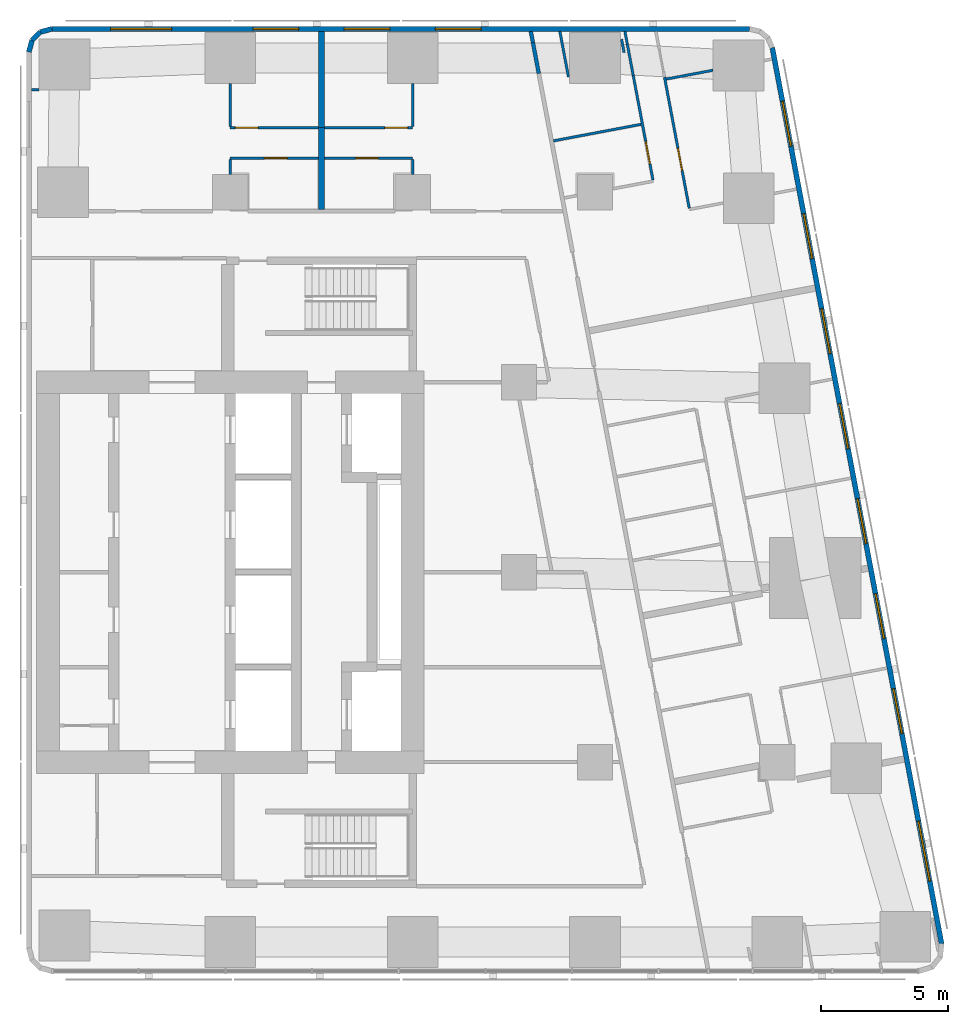
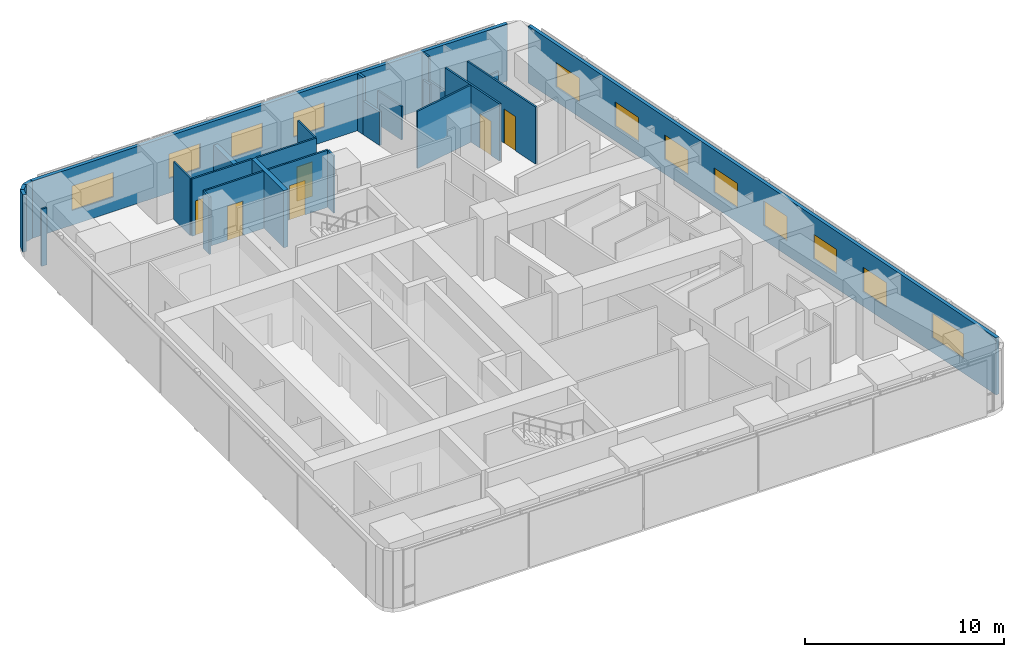
# One storey, part 8 of 11: 26 walls, 12 windows, 6 doors, 18 openings.
"""IFC4 building model written with IfcOpenShell, lengths in metres."""

from ifc_helpers import new_model, si_unit, direction, frame, frame_2d, origin, place, context, subcontext, project, spatial, rectangle, extrude, material, layer, layer_set, type_object, element, fill, save


model = new_model("IFC4")

# Units and contexts
model_context = context("Model", 3, precision=1e-05, world=origin(), true_north=direction((0.0, 1.0)))
body_context = subcontext(model_context, "Body", "Model", "MODEL_VIEW")
ifc_project = project(units=[si_unit("LENGTHUNIT", "METRE"), si_unit("AREAUNIT", "SQUARE_METRE"), si_unit("VOLUMEUNIT", "CUBIC_METRE"), si_unit("PLANEANGLEUNIT", "RADIAN"), si_unit("MASSUNIT", "GRAM", prefix="KILO")], contexts=[model_context])

# Site, building, storey
site_placement = place(None, origin())
site = spatial("IfcSite", under=ifc_project, at=site_placement, CompositionType="ELEMENT")
building_placement = place(site_placement, origin())
building = spatial("IfcBuilding", under=site, at=building_placement, Name="Sheger Commons Tower", CompositionType="ELEMENT")
storey_placement = place(building_placement, frame((0.0, 0.0, 255.35009765625)))
storey = spatial("IfcBuildingStorey", under=building, at=storey_placement, Name="L65", CompositionType="ELEMENT", Elevation=255.35009765625)

# Walls
ifc_material_1 = material(Name="Hollow concrete block masonry, skimmed both sides", Category="masonry")
ifc_layer_1 = layer(ifc_material_1, 0.14990234375)
ifc_layer_set_1 = layer_set([ifc_layer_1], Name="CORRIDOR WALL 150")
wall_type_1 = type_object("IfcWallType", Name="CORRIDOR WALL 150", PredefinedType="SOLIDWALL", material=ifc_layer_set_1)
wall_1_placement = place(storey_placement, frame((33.467041015625, 43.85009765625, 0.0), z_axis=(0.0, 0.0, 1.0), x_axis=(0.184886516626, -0.982759877066, 0.0)))
element("IfcWall", 1, at=wall_1_placement, inside=storey, type_object=wall_type_1, Name="Corridor wall L65", PredefinedType="SOLIDWALL", context=body_context, shape_type="SweptSolid", body=[
    extrude(rectangle(XDim=0.443603515625, YDim=0.14990234375, at=frame_2d((0.2216796875, 0.0))), origin(), (0.0, 0.0, 1.0), 3.5),
])
wall_2_placement = place(storey_placement, frame((33.549072265625, 43.4140625, 0.0), z_axis=(0.0, 0.0, 1.0), x_axis=(0.185585816539, -0.982628060204, 0.0)))
element("IfcWall", 2, at=wall_2_placement, inside=storey, type_object=wall_type_1, Name="Corridor wall L65", PredefinedType="SOLIDWALL", context=body_context, shape_type="SweptSolid", body=[
    extrude(rectangle(XDim=1.249755859375, YDim=0.14990234375, at=frame_2d((0.625, 0.0))), origin(), (0.0, 0.0, 1.0), 2.0498046875),
])
ifc_material_2 = material(Name="Dense concrete block masonry, plastered both sides (separating wall between flats)", Category="masonry")
ifc_layer_2 = layer(ifc_material_2, 0.25)
ifc_layer_set_2 = layer_set([ifc_layer_2], Name="DEMISING WALL 250")
wall_type_2 = type_object("IfcWallType", Name="DEMISING WALL 250", PredefinedType="SOLIDWALL", material=ifc_layer_set_2)
wall_3_placement = place(storey_placement, frame((25.199951171875, 40.050048828125, 0.0), z_axis=(0.0, 0.0, 1.0), x_axis=(0.0, 1.0, 0.0)))
element("IfcWall", 3, at=wall_3_placement, inside=storey, type_object=wall_type_2, Name="Demising wall L65", PredefinedType="SOLIDWALL", context=body_context, shape_type="SweptSolid", body=[
    extrude(rectangle(XDim=3.800048828125, YDim=0.25, at=frame_2d((1.89990234375, 0.0))), origin(), (0.0, 0.0, 1.0), 2.0498046875),
])
wall_4_placement = place(storey_placement, frame((25.199951171875, 36.824951171875, 0.0), z_axis=(0.0, 0.0, 1.0), x_axis=(0.0, 1.0, 0.0)))
element("IfcWall", 4, at=wall_4_placement, inside=storey, type_object=wall_type_2, Name="Demising wall L65", PredefinedType="SOLIDWALL", context=body_context, shape_type="SweptSolid", body=[
    extrude(rectangle(XDim=3.22509765625, YDim=0.25, at=frame_2d((1.612548828125, 0.0))), origin(), (0.0, 0.0, 1.0), 3.5),
])

# Wall, openings, windows
ifc_material_3 = material(Name="Rendered concrete block masonry, dark grey", Category="masonry")
ifc_layer_3 = layer(ifc_material_3, 0.199951171875)
ifc_layer_set_3 = layer_set([ifc_layer_3], Name="FACADE WALL 200")
wall_type_3 = type_object("IfcWallType", Name="FACADE WALL 200", PredefinedType="SOLIDWALL", material=ifc_layer_set_3)
wall_5_placement = place(storey_placement, frame((49.68408203125, 7.83203125, 0.0), z_axis=(0.0, 0.0, 1.0), x_axis=(-0.185616669694, 0.982622232565, 0.0)))
wall_5 = element("IfcWall", 5, at=wall_5_placement, inside=storey, type_object=wall_type_3, Name="Facade wall L65", PredefinedType="SOLIDWALL", context=body_context, shape_type="SweptSolid", body=[
    extrude(rectangle(XDim=35.99951171875, YDim=0.199951171875, at=frame_2d((17.999755859375, 0.0))), origin(), (0.0, 0.0, 1.0), 3.5),
])
opening_1_placement = place(wall_5_placement, frame((2.51806640625, 0.0, 0.89990234375)))
opening_1 = element("IfcOpeningElement", 6, at=opening_1_placement, cuts=wall_5, Name="Opening W1", PredefinedType="OPENING", context=body_context, shape_type="SweptSolid", body=[
    extrude(rectangle(XDim=2.39990234375, YDim=1.5, at=frame_2d((1.199951171875, 0.75))), frame((0.0, 0.10986328125, 0.0), z_axis=(0.0, -1.0, 0.0), x_axis=(1.0, 0.0, 0.0)), (0.0, 0.0, 1.0), 0.219970703125),
])
opening_2_placement = place(wall_5_placement, frame((8.444091796875, 0.0, 0.89990234375)))
opening_2 = element("IfcOpeningElement", 7, at=opening_2_placement, cuts=wall_5, Name="Opening W2", PredefinedType="OPENING", context=body_context, shape_type="SweptSolid", body=[
    extrude(rectangle(XDim=1.800048828125, YDim=1.5, at=frame_2d((0.89990234375, 0.75))), frame((0.0, 0.10986328125, 0.0), z_axis=(0.0, -1.0, 0.0), x_axis=(1.0, 0.0, 0.0)), (0.0, 0.0, 1.0), 0.219970703125),
])
opening_3_placement = place(wall_5_placement, frame((12.260986328125, 0.0, 0.89990234375)))
opening_3 = element("IfcOpeningElement", 8, at=opening_3_placement, cuts=wall_5, Name="Opening W2", PredefinedType="OPENING", context=body_context, shape_type="SweptSolid", body=[
    extrude(rectangle(XDim=1.800048828125, YDim=1.5, at=frame_2d((0.89990234375, 0.75))), frame((0.0, 0.10986328125, 0.0), z_axis=(0.0, -1.0, 0.0), x_axis=(1.0, 0.0, 0.0)), (0.0, 0.0, 1.0), 0.219970703125),
])
opening_4_placement = place(wall_5_placement, frame((16.077880859375, 0.0, 0.89990234375)))
opening_4 = element("IfcOpeningElement", 9, at=opening_4_placement, cuts=wall_5, Name="Opening W2", PredefinedType="OPENING", context=body_context, shape_type="SweptSolid", body=[
    extrude(rectangle(XDim=1.800048828125, YDim=1.5, at=frame_2d((0.89990234375, 0.75))), frame((0.0, 0.10986328125, 0.0), z_axis=(0.0, -1.0, 0.0), x_axis=(1.0, 0.0, 0.0)), (0.0, 0.0, 1.0), 0.219970703125),
])
opening_5_placement = place(wall_5_placement, frame((19.89404296875, 0.0, 0.89990234375)))
opening_5 = element("IfcOpeningElement", 10, at=opening_5_placement, cuts=wall_5, Name="Opening W2", PredefinedType="OPENING", context=body_context, shape_type="SweptSolid", body=[
    extrude(rectangle(XDim=1.800048828125, YDim=1.5, at=frame_2d((0.89990234375, 0.75))), frame((0.0, 0.10986328125, 0.0), z_axis=(0.0, -1.0, 0.0), x_axis=(1.0, 0.0, 0.0)), (0.0, 0.0, 1.0), 0.219970703125),
])
opening_6_placement = place(wall_5_placement, frame((23.7099609375, 0.0, 0.89990234375)))
opening_6 = element("IfcOpeningElement", 11, at=opening_6_placement, cuts=wall_5, Name="Opening W2", PredefinedType="OPENING", context=body_context, shape_type="SweptSolid", body=[
    extrude(rectangle(XDim=1.800048828125, YDim=1.5, at=frame_2d((0.89990234375, 0.75))), frame((0.0, 0.10986328125, 0.0), z_axis=(0.0, -1.0, 0.0), x_axis=(1.0, 0.0, 0.0)), (0.0, 0.0, 1.0), 0.219970703125),
])
opening_7_placement = place(wall_5_placement, frame((27.52587890625, 0.0, 0.89990234375)))
opening_7 = element("IfcOpeningElement", 12, at=opening_7_placement, cuts=wall_5, Name="Opening W2", PredefinedType="OPENING", context=body_context, shape_type="SweptSolid", body=[
    extrude(rectangle(XDim=1.800048828125, YDim=1.5, at=frame_2d((0.89990234375, 0.75))), frame((0.0, 0.10986328125, 0.0), z_axis=(0.0, -1.0, 0.0), x_axis=(1.0, 0.0, 0.0)), (0.0, 0.0, 1.0), 0.219970703125),
])
opening_8_placement = place(wall_5_placement, frame((32.0458984375, 0.0, 0.89990234375)))
opening_8 = element("IfcOpeningElement", 13, at=opening_8_placement, cuts=wall_5, Name="Opening W2", PredefinedType="OPENING", context=body_context, shape_type="SweptSolid", body=[
    extrude(rectangle(XDim=1.800048828125, YDim=1.5, at=frame_2d((0.89990234375, 0.75))), frame((0.0, 0.10986328125, 0.0), z_axis=(0.0, -1.0, 0.0), x_axis=(1.0, 0.0, 0.0)), (0.0, 0.0, 1.0), 0.219970703125),
])
ifc_material_4 = material(Name="Black aluminium frame, dark tinted double glazing", Category="aluminium")
window_type_1 = type_object("IfcWindowType", Name="WINDOW W1 2400x1500", PartitioningType="SINGLE_PANEL", PredefinedType="WINDOW", material=ifc_material_4)
window_1_placement = place(opening_1_placement, origin())
window_1 = element("IfcWindow", 14, at=window_1_placement, inside=storey, type_object=window_type_1, Name="Window W1 2400X1500", OverallHeight=1.5, OverallWidth=2.39990234375, PartitioningType="SINGLE_PANEL", PredefinedType="WINDOW", context=body_context, shape_type="SweptSolid", body=[
    extrude(rectangle(XDim=2.39990234375, YDim=1.5, at=frame_2d((1.199951171875, 0.75))), frame((0.0, 0.030029296875, 0.0), z_axis=(0.0, -1.0, 0.0), x_axis=(1.0, 0.0, 0.0)), (0.0, 0.0, 1.0), 0.06005859375),
])
fill(opening_1, window_1)
ifc_material_5 = material(Name="Black aluminium frame, dark tinted double glazing", Category="aluminium")
window_type_2 = type_object("IfcWindowType", Name="WINDOW W2 1800x1500", PartitioningType="SINGLE_PANEL", PredefinedType="WINDOW", material=ifc_material_5)
window_2_placement = place(opening_2_placement, origin())
window_2 = element("IfcWindow", 15, at=window_2_placement, inside=storey, type_object=window_type_2, Name="Window W2 1800X1500", OverallHeight=1.5, OverallWidth=1.800048828125, PartitioningType="SINGLE_PANEL", PredefinedType="WINDOW", context=body_context, shape_type="SweptSolid", body=[
    extrude(rectangle(XDim=1.800048828125, YDim=1.5, at=frame_2d((0.89990234375, 0.75))), frame((0.0, 0.030029296875, 0.0), z_axis=(0.0, -1.0, 0.0), x_axis=(1.0, 0.0, 0.0)), (0.0, 0.0, 1.0), 0.06005859375),
])
fill(opening_2, window_2)
window_3_placement = place(opening_3_placement, origin())
window_3 = element("IfcWindow", 16, at=window_3_placement, inside=storey, type_object=window_type_2, Name="Window W2 1800X1500", OverallHeight=1.5, OverallWidth=1.800048828125, PartitioningType="SINGLE_PANEL", PredefinedType="WINDOW", context=body_context, shape_type="SweptSolid", body=[
    extrude(rectangle(XDim=1.800048828125, YDim=1.5, at=frame_2d((0.89990234375, 0.75))), frame((0.0, 0.030029296875, 0.0), z_axis=(0.0, -1.0, 0.0), x_axis=(1.0, 0.0, 0.0)), (0.0, 0.0, 1.0), 0.06005859375),
])
fill(opening_3, window_3)
window_4_placement = place(opening_4_placement, origin())
window_4 = element("IfcWindow", 17, at=window_4_placement, inside=storey, type_object=window_type_2, Name="Window W2 1800X1500", OverallHeight=1.5, OverallWidth=1.800048828125, PartitioningType="SINGLE_PANEL", PredefinedType="WINDOW", context=body_context, shape_type="SweptSolid", body=[
    extrude(rectangle(XDim=1.800048828125, YDim=1.5, at=frame_2d((0.89990234375, 0.75))), frame((0.0, 0.030029296875, 0.0), z_axis=(0.0, -1.0, 0.0), x_axis=(1.0, 0.0, 0.0)), (0.0, 0.0, 1.0), 0.06005859375),
])
fill(opening_4, window_4)
window_5_placement = place(opening_5_placement, origin())
window_5 = element("IfcWindow", 18, at=window_5_placement, inside=storey, type_object=window_type_2, Name="Window W2 1800X1500", OverallHeight=1.5, OverallWidth=1.800048828125, PartitioningType="SINGLE_PANEL", PredefinedType="WINDOW", context=body_context, shape_type="SweptSolid", body=[
    extrude(rectangle(XDim=1.800048828125, YDim=1.5, at=frame_2d((0.89990234375, 0.75))), frame((0.0, 0.030029296875, 0.0), z_axis=(0.0, -1.0, 0.0), x_axis=(1.0, 0.0, 0.0)), (0.0, 0.0, 1.0), 0.06005859375),
])
fill(opening_5, window_5)
window_6_placement = place(opening_6_placement, origin())
window_6 = element("IfcWindow", 19, at=window_6_placement, inside=storey, type_object=window_type_2, Name="Window W2 1800X1500", OverallHeight=1.5, OverallWidth=1.800048828125, PartitioningType="SINGLE_PANEL", PredefinedType="WINDOW", context=body_context, shape_type="SweptSolid", body=[
    extrude(rectangle(XDim=1.800048828125, YDim=1.5, at=frame_2d((0.89990234375, 0.75))), frame((0.0, 0.030029296875, 0.0), z_axis=(0.0, -1.0, 0.0), x_axis=(1.0, 0.0, 0.0)), (0.0, 0.0, 1.0), 0.06005859375),
])
fill(opening_6, window_6)
window_7_placement = place(opening_7_placement, origin())
window_7 = element("IfcWindow", 20, at=window_7_placement, inside=storey, type_object=window_type_2, Name="Window W2 1800X1500", OverallHeight=1.5, OverallWidth=1.800048828125, PartitioningType="SINGLE_PANEL", PredefinedType="WINDOW", context=body_context, shape_type="SweptSolid", body=[
    extrude(rectangle(XDim=1.800048828125, YDim=1.5, at=frame_2d((0.89990234375, 0.75))), frame((0.0, 0.030029296875, 0.0), z_axis=(0.0, -1.0, 0.0), x_axis=(1.0, 0.0, 0.0)), (0.0, 0.0, 1.0), 0.06005859375),
])
fill(opening_7, window_7)
window_8_placement = place(opening_8_placement, origin())
window_8 = element("IfcWindow", 21, at=window_8_placement, inside=storey, type_object=window_type_2, Name="Window W2 1800X1500", OverallHeight=1.5, OverallWidth=1.800048828125, PartitioningType="SINGLE_PANEL", PredefinedType="WINDOW", context=body_context, shape_type="SweptSolid", body=[
    extrude(rectangle(XDim=1.800048828125, YDim=1.5, at=frame_2d((0.89990234375, 0.75))), frame((0.0, 0.030029296875, 0.0), z_axis=(0.0, -1.0, 0.0), x_axis=(1.0, 0.0, 0.0)), (0.0, 0.0, 1.0), 0.06005859375),
])
fill(opening_8, window_8)

wall_6_placement = place(storey_placement, frame((42.10302734375, 43.949951171875, 0.0), z_axis=(0.0, 0.0, 1.0), x_axis=(-1.0, 0.0, 0.0)))
wall_6 = element("IfcWall", 22, at=wall_6_placement, inside=storey, type_object=wall_type_3, Name="Facade wall L65", PredefinedType="SOLIDWALL", context=body_context, shape_type="SweptSolid", body=[
    extrude(rectangle(XDim=27.5400390625, YDim=0.199951171875, at=frame_2d((13.77001953125, 0.0))), origin(), (0.0, 0.0, 1.0), 3.5),
])
opening_9_placement = place(wall_6_placement, frame((10.60302734375, 0.0, 0.89990234375)))
opening_9 = element("IfcOpeningElement", 23, at=opening_9_placement, cuts=wall_6, Name="Opening W2", PredefinedType="OPENING", context=body_context, shape_type="SweptSolid", body=[
    extrude(rectangle(XDim=1.800048828125, YDim=1.5, at=frame_2d((0.89990234375, 0.75))), frame((0.0, 0.10986328125, 0.0), z_axis=(0.0, -1.0, 0.0), x_axis=(1.0, 0.0, 0.0)), (0.0, 0.0, 1.0), 0.219970703125),
])
opening_10_placement = place(wall_6_placement, frame((14.202880859375, 0.0, 0.89990234375)))
opening_10 = element("IfcOpeningElement", 24, at=opening_10_placement, cuts=wall_6, Name="Opening W2", PredefinedType="OPENING", context=body_context, shape_type="SweptSolid", body=[
    extrude(rectangle(XDim=1.800048828125, YDim=1.5, at=frame_2d((0.89990234375, 0.75))), frame((0.0, 0.10986328125, 0.0), z_axis=(0.0, -1.0, 0.0), x_axis=(1.0, 0.0, 0.0)), (0.0, 0.0, 1.0), 0.219970703125),
])
opening_11_placement = place(wall_6_placement, frame((17.802978515625, 0.0, 0.89990234375)))
opening_11 = element("IfcOpeningElement", 25, at=opening_11_placement, cuts=wall_6, Name="Opening W2", PredefinedType="OPENING", context=body_context, shape_type="SweptSolid", body=[
    extrude(rectangle(XDim=1.800048828125, YDim=1.5, at=frame_2d((0.89990234375, 0.75))), frame((0.0, 0.10986328125, 0.0), z_axis=(0.0, -1.0, 0.0), x_axis=(1.0, 0.0, 0.0)), (0.0, 0.0, 1.0), 0.219970703125),
])
opening_12_placement = place(wall_6_placement, frame((22.822021484375, 0.0, 0.89990234375)))
opening_12 = element("IfcOpeningElement", 26, at=opening_12_placement, cuts=wall_6, Name="Opening W1", PredefinedType="OPENING", context=body_context, shape_type="SweptSolid", body=[
    extrude(rectangle(XDim=2.39990234375, YDim=1.5, at=frame_2d((1.199951171875, 0.75))), frame((0.0, 0.10986328125, 0.0), z_axis=(0.0, -1.0, 0.0), x_axis=(1.0, 0.0, 0.0)), (0.0, 0.0, 1.0), 0.219970703125),
])
window_9_placement = place(opening_12_placement, origin())
window_9 = element("IfcWindow", 27, at=window_9_placement, inside=storey, type_object=window_type_1, Name="Window W1 2400X1500", OverallHeight=1.5, OverallWidth=2.39990234375, PartitioningType="SINGLE_PANEL", PredefinedType="WINDOW", context=body_context, shape_type="SweptSolid", body=[
    extrude(rectangle(XDim=2.39990234375, YDim=1.5, at=frame_2d((1.199951171875, 0.75))), frame((0.0, 0.030029296875, 0.0), z_axis=(0.0, -1.0, 0.0), x_axis=(1.0, 0.0, 0.0)), (0.0, 0.0, 1.0), 0.06005859375),
])
fill(opening_12, window_9)
window_10_placement = place(opening_9_placement, origin())
window_10 = element("IfcWindow", 28, at=window_10_placement, inside=storey, type_object=window_type_2, Name="Window W2 1800X1500", OverallHeight=1.5, OverallWidth=1.800048828125, PartitioningType="SINGLE_PANEL", PredefinedType="WINDOW", context=body_context, shape_type="SweptSolid", body=[
    extrude(rectangle(XDim=1.800048828125, YDim=1.5, at=frame_2d((0.89990234375, 0.75))), frame((0.0, 0.030029296875, 0.0), z_axis=(0.0, -1.0, 0.0), x_axis=(1.0, 0.0, 0.0)), (0.0, 0.0, 1.0), 0.06005859375),
])
fill(opening_9, window_10)
window_11_placement = place(opening_10_placement, origin())
window_11 = element("IfcWindow", 29, at=window_11_placement, inside=storey, type_object=window_type_2, Name="Window W2 1800X1500", OverallHeight=1.5, OverallWidth=1.800048828125, PartitioningType="SINGLE_PANEL", PredefinedType="WINDOW", context=body_context, shape_type="SweptSolid", body=[
    extrude(rectangle(XDim=1.800048828125, YDim=1.5, at=frame_2d((0.89990234375, 0.75))), frame((0.0, 0.030029296875, 0.0), z_axis=(0.0, -1.0, 0.0), x_axis=(1.0, 0.0, 0.0)), (0.0, 0.0, 1.0), 0.06005859375),
])
fill(opening_10, window_11)
window_12_placement = place(opening_11_placement, origin())
window_12 = element("IfcWindow", 30, at=window_12_placement, inside=storey, type_object=window_type_2, Name="Window W2 1800X1500", OverallHeight=1.5, OverallWidth=1.800048828125, PartitioningType="SINGLE_PANEL", PredefinedType="WINDOW", context=body_context, shape_type="SweptSolid", body=[
    extrude(rectangle(XDim=1.800048828125, YDim=1.5, at=frame_2d((0.89990234375, 0.75))), frame((0.0, 0.030029296875, 0.0), z_axis=(0.0, -1.0, 0.0), x_axis=(1.0, 0.0, 0.0)), (0.0, 0.0, 1.0), 0.06005859375),
])
fill(opening_11, window_12)

# Walls
wall_7_placement = place(storey_placement, frame((14.56298828125, 43.949951171875, 0.0), z_axis=(0.0, 0.0, 1.0), x_axis=(-0.965655254015, -0.259826731483, 0.0)))
element("IfcWall", 31, at=wall_7_placement, inside=storey, type_object=wall_type_3, Name="Facade wall L65", PredefinedType="SOLIDWALL", context=body_context, shape_type="SweptSolid", body=[
    extrude(rectangle(XDim=0.477294921875, YDim=0.199951171875, at=frame_2d((0.23876953125, 0.0))), origin(), (0.0, 0.0, 1.0), 3.5),
])
wall_8_placement = place(storey_placement, frame((14.10205078125, 43.825927734375, 0.0), z_axis=(0.0, 0.0, 1.0), x_axis=(-0.707369890659, -0.706843573776, 0.0)))
element("IfcWall", 32, at=wall_8_placement, inside=storey, type_object=wall_type_3, Name="Facade wall L65", PredefinedType="SOLIDWALL", context=body_context, shape_type="SweptSolid", body=[
    extrude(rectangle(XDim=0.4638671875, YDim=0.199951171875, at=frame_2d((0.23193359375, 0.0))), origin(), (0.0, 0.0, 1.0), 3.5),
])
wall_9_placement = place(storey_placement, frame((13.77392578125, 43.498046875, 0.0), z_axis=(0.0, 0.0, 1.0), x_axis=(-0.259826731483, -0.965655254015, 0.0)))
element("IfcWall", 33, at=wall_9_placement, inside=storey, type_object=wall_type_3, Name="Facade wall L65", PredefinedType="SOLIDWALL", context=body_context, shape_type="SweptSolid", body=[
    extrude(rectangle(XDim=0.477294921875, YDim=0.199951171875, at=frame_2d((0.23876953125, 0.0))), origin(), (0.0, 0.0, 1.0), 3.5),
])
ifc_material_6 = material(Name="Gypsum board on steel studs", Category="steel")
ifc_layer_4 = layer(ifc_material_6, 0.10009765625)
ifc_layer_set_4 = layer_set([ifc_layer_4], Name="PARTITION 100")
wall_type_4 = type_object("IfcWallType", Name="PARTITION 100", PredefinedType="PARTITIONING", material=ifc_layer_set_4)
wall_10_placement = place(storey_placement, frame((34.951904296875, 42.054931640625, 0.0), z_axis=(0.0, 0.0, 1.0), x_axis=(-0.185490642006, 0.98264603074, 0.0)))
element("IfcWall", 34, at=wall_10_placement, inside=storey, type_object=wall_type_4, Name="Partition L65", PredefinedType="PARTITIONING", context=body_context, shape_type="SweptSolid", body=[
    extrude(rectangle(XDim=1.826904296875, YDim=0.10009765625, at=frame_2d((0.91357421875, 0.0))), origin(), (0.0, 0.0, 1.0), 2.0498046875),
])
wall_11_placement = place(storey_placement, frame((37.049072265625, 43.5390625, 0.0), z_axis=(0.0, 0.0, 1.0), x_axis=(0.186119495745, -0.982527115811, 0.0)))
element("IfcWall", 35, at=wall_11_placement, inside=storey, type_object=wall_type_4, Name="Partition L65", PredefinedType="PARTITIONING", context=body_context, shape_type="SweptSolid", body=[
    extrude(rectangle(XDim=0.53125, YDim=0.10009765625, at=frame_2d((0.265625, 0.0))), origin(), (0.0, 0.0, 1.0), 2.0498046875),
])

# Wall, opening, door
wall_12_placement = place(storey_placement, frame((38.743896484375, 42.044921875, 0.0), z_axis=(0.0, 0.0, 1.0), x_axis=(0.185564988614, -0.982631993679, 0.0)))
wall_12 = element("IfcWall", 36, at=wall_12_placement, inside=storey, type_object=wall_type_4, Name="Partition L65", PredefinedType="PARTITIONING", context=body_context, shape_type="SweptSolid", body=[
    extrude(rectangle(XDim=5.265380859375, YDim=0.10009765625, at=frame_2d((2.6328125, 0.0))), origin(), (0.0, 0.0, 1.0), 3.5),
])
opening_13_placement = place(wall_12_placement, frame((2.85595703125, 0.0, 0.0)))
opening_13 = element("IfcOpeningElement", 37, at=opening_13_placement, cuts=wall_12, Name="Opening D2", PredefinedType="OPENING", context=body_context, shape_type="SweptSolid", body=[
    extrude(rectangle(XDim=0.89990234375, YDim=2.10009765625, at=frame_2d((0.449951171875, 1.050048828125))), frame((0.0, 0.06005859375, 0.0), z_axis=(0.0, -1.0, 0.0), x_axis=(1.0, 0.0, 0.0)), (0.0, 0.0, 1.0), 0.1201171875),
])
ifc_material_7 = material(Name="Timber door set", Category="wood")
door_type = type_object("IfcDoorType", Name="INTERNAL DOOR 900x2100", OperationType="NOTDEFINED", PredefinedType="DOOR", material=ifc_material_7)
door_1_placement = place(opening_13_placement, origin())
door_1 = element("IfcDoor", 38, at=door_1_placement, inside=storey, type_object=door_type, Name="Main bedroom door", OperationType="SINGLE_SWING_RIGHT", OverallHeight=2.10009765625, OverallWidth=0.89990234375, PredefinedType="DOOR", context=body_context, shape_type="SweptSolid", body=[
    extrude(rectangle(XDim=0.89990234375, YDim=2.10009765625, at=frame_2d((0.449951171875, 1.050048828125))), frame((0.0, 0.02490234375, 0.0), z_axis=(0.0, -1.0, 0.0), x_axis=(1.0, 0.0, 0.0)), (0.0, 0.0, 1.0), 0.050048828125),
])
fill(opening_13, door_1)

# Walls
wall_13_placement = place(storey_placement, frame((37.180908203125, 43.85009765625, 0.0), z_axis=(0.0, 0.0, 1.0), x_axis=(0.185121727606, -0.982715597703, 0.0)))
element("IfcWall", 39, at=wall_13_placement, inside=storey, type_object=wall_type_4, Name="Partition L65", PredefinedType="PARTITIONING", context=body_context, shape_type="SweptSolid", body=[
    extrude(rectangle(XDim=0.512939453125, YDim=0.10009765625, at=frame_2d((0.25634765625, 0.0))), origin(), (0.0, 0.0, 1.0), 3.5),
])
wall_14_placement = place(storey_placement, frame((37.27587890625, 43.345947265625, 0.0), z_axis=(0.0, 0.0, 1.0), x_axis=(0.185962504646, -0.982556841544, 0.0)))
element("IfcWall", 40, at=wall_14_placement, inside=storey, type_object=wall_type_4, Name="Partition L65", PredefinedType="PARTITIONING", context=body_context, shape_type="SweptSolid", body=[
    extrude(rectangle(XDim=1.259033203125, YDim=0.10009765625, at=frame_2d((0.62939453125, 0.0))), origin(), (0.0, 0.0, 1.0), 2.0498046875),
])

# Wall, opening, door
wall_15_placement = place(storey_placement, frame((37.510009765625, 42.10888671875, 0.0), z_axis=(0.0, 0.0, 1.0), x_axis=(0.185580569503, -0.98262905118, 0.0)))
wall_15 = element("IfcWall", 41, at=wall_15_placement, inside=storey, type_object=wall_type_4, Name="Partition L65", PredefinedType="PARTITIONING", context=body_context, shape_type="SweptSolid", body=[
    extrude(rectangle(XDim=4.197998046875, YDim=0.10009765625, at=frame_2d((2.09912109375, 0.0))), origin(), (0.0, 0.0, 1.0), 3.5),
])
opening_14_placement = place(wall_15_placement, frame((2.64990234375, 0.0, 0.0)))
opening_14 = element("IfcOpeningElement", 42, at=opening_14_placement, cuts=wall_15, Name="Opening D2", PredefinedType="OPENING", context=body_context, shape_type="SweptSolid", body=[
    extrude(rectangle(XDim=0.89990234375, YDim=2.10009765625, at=frame_2d((0.449951171875, 1.050048828125))), frame((0.0, 0.06005859375, 0.0), z_axis=(0.0, -1.0, 0.0), x_axis=(1.0, 0.0, 0.0)), (0.0, 0.0, 1.0), 0.1201171875),
])
door_2_placement = place(opening_14_placement, origin())
door_2 = element("IfcDoor", 43, at=door_2_placement, inside=storey, type_object=door_type, Name="Bathroom door", OperationType="SINGLE_SWING_LEFT", OverallHeight=2.10009765625, OverallWidth=0.89990234375, PredefinedType="DOOR", context=body_context, shape_type="SweptSolid", body=[
    extrude(rectangle(XDim=0.89990234375, YDim=2.10009765625, at=frame_2d((0.449951171875, 1.050048828125))), frame((0.0, 0.02490234375, 0.0), z_axis=(0.0, -1.0, 0.0), x_axis=(1.0, 0.0, 0.0)), (0.0, 0.0, 1.0), 0.050048828125),
])
fill(opening_14, door_2)

# Walls
wall_16_placement = place(storey_placement, frame((40.656982421875, 42.31494140625, 0.0), z_axis=(0.0, 0.0, 1.0), x_axis=(-0.982622785543, -0.185613742305, 0.0)))
element("IfcWall", 44, at=wall_16_placement, inside=storey, type_object=wall_type_4, Name="Partition L65", PredefinedType="PARTITIONING", context=body_context, shape_type="SweptSolid", body=[
    extrude(rectangle(XDim=1.879638671875, YDim=0.10009765625, at=frame_2d((0.93994140625, 0.0))), origin(), (0.0, 0.0, 1.0), 2.0498046875),
])
wall_17_placement = place(storey_placement, frame((37.822998046875, 40.181884765625, 0.0), z_axis=(0.0, 0.0, 1.0), x_axis=(-0.98263926043, -0.185526504472, 0.0)))
element("IfcWall", 45, at=wall_17_placement, inside=storey, type_object=wall_type_4, Name="Partition L65", PredefinedType="PARTITIONING", context=body_context, shape_type="SweptSolid", body=[
    extrude(rectangle(XDim=3.524169921875, YDim=0.10009765625, at=frame_2d((1.76220703125, 0.0))), origin(), (0.0, 0.0, 1.0), 3.5),
])
wall_18_placement = place(storey_placement, frame((14.053955078125, 41.5458984375, 0.0), z_axis=(0.0, 0.0, 1.0), x_axis=(-1.0, 0.0, 0.0)))
element("IfcWall", 46, at=wall_18_placement, inside=storey, type_object=wall_type_4, Name="Partition L65", PredefinedType="PARTITIONING", context=body_context, shape_type="SweptSolid", body=[
    extrude(rectangle(XDim=0.303955078125, YDim=0.10009765625, at=frame_2d((0.15185546875, 0.0))), origin(), (0.0, 0.0, 1.0), 3.5),
])

# Wall, opening, door
wall_19_placement = place(storey_placement, frame((21.60009765625, 40.050048828125, 0.0), z_axis=(0.0, 0.0, 1.0), x_axis=(1.0, 0.0, 0.0)))
wall_19 = element("IfcWall", 47, at=wall_19_placement, inside=storey, type_object=wall_type_4, Name="Partition L65", PredefinedType="PARTITIONING", context=body_context, shape_type="SweptSolid", body=[
    extrude(rectangle(XDim=3.474853515625, YDim=0.10009765625, at=frame_2d((1.7373046875, 0.0))), origin(), (0.0, 0.0, 1.0), 3.5),
])
opening_15_placement = place(wall_19_placement, frame((0.199951171875, 0.0, 0.0)))
opening_15 = element("IfcOpeningElement", 48, at=opening_15_placement, cuts=wall_19, Name="Opening D2", PredefinedType="OPENING", context=body_context, shape_type="SweptSolid", body=[
    extrude(rectangle(XDim=0.89990234375, YDim=2.10009765625, at=frame_2d((0.449951171875, 1.050048828125))), frame((0.0, 0.06005859375, 0.0), z_axis=(0.0, -1.0, 0.0), x_axis=(1.0, 0.0, 0.0)), (0.0, 0.0, 1.0), 0.1201171875),
])
door_3_placement = place(opening_15_placement, origin())
door_3 = element("IfcDoor", 49, at=door_3_placement, inside=storey, type_object=door_type, Name="Main bedroom door", OperationType="SINGLE_SWING_LEFT", OverallHeight=2.10009765625, OverallWidth=0.89990234375, PredefinedType="DOOR", context=body_context, shape_type="SweptSolid", body=[
    extrude(rectangle(XDim=0.89990234375, YDim=2.10009765625, at=frame_2d((0.449951171875, 1.050048828125))), frame((0.0, 0.02490234375, 0.0), z_axis=(0.0, -1.0, 0.0), x_axis=(1.0, 0.0, 0.0)), (0.0, 0.0, 1.0), 0.050048828125),
])
fill(opening_15, door_3)

wall_20_placement = place(storey_placement, frame((21.60009765625, 38.85009765625, 0.0), z_axis=(0.0, 0.0, 1.0), x_axis=(1.0, 0.0, 0.0)))
wall_20 = element("IfcWall", 50, at=wall_20_placement, inside=storey, type_object=wall_type_4, Name="Partition L65", PredefinedType="PARTITIONING", context=body_context, shape_type="SweptSolid", body=[
    extrude(rectangle(XDim=3.474853515625, YDim=0.10009765625, at=frame_2d((1.7373046875, 0.0))), origin(), (0.0, 0.0, 1.0), 3.5),
])
opening_16_placement = place(wall_20_placement, frame((1.35009765625, 0.0, 0.0)))
opening_16 = element("IfcOpeningElement", 51, at=opening_16_placement, cuts=wall_20, Name="Opening D2", PredefinedType="OPENING", context=body_context, shape_type="SweptSolid", body=[
    extrude(rectangle(XDim=0.89990234375, YDim=2.10009765625, at=frame_2d((0.449951171875, 1.050048828125))), frame((0.0, 0.06005859375, 0.0), z_axis=(0.0, -1.0, 0.0), x_axis=(1.0, 0.0, 0.0)), (0.0, 0.0, 1.0), 0.1201171875),
])
door_4_placement = place(opening_16_placement, origin())
door_4 = element("IfcDoor", 52, at=door_4_placement, inside=storey, type_object=door_type, Name="Bathroom door", OperationType="SINGLE_SWING_LEFT", OverallHeight=2.10009765625, OverallWidth=0.89990234375, PredefinedType="DOOR", context=body_context, shape_type="SweptSolid", body=[
    extrude(rectangle(XDim=0.89990234375, YDim=2.10009765625, at=frame_2d((0.449951171875, 1.050048828125))), frame((0.0, 0.02490234375, 0.0), z_axis=(0.0, -1.0, 0.0), x_axis=(1.0, 0.0, 0.0)), (0.0, 0.0, 1.0), 0.050048828125),
])
fill(opening_16, door_4)

# Walls
wall_21_placement = place(storey_placement, frame((21.60009765625, 40.10009765625, 0.0), z_axis=(0.0, 0.0, 1.0), x_axis=(0.0, 1.0, 0.0)))
element("IfcWall", 53, at=wall_21_placement, inside=storey, type_object=wall_type_4, Name="Partition L65", PredefinedType="PARTITIONING", context=body_context, shape_type="SweptSolid", body=[
    extrude(rectangle(XDim=1.698974609375, YDim=0.10009765625, at=frame_2d((0.849609375, 0.0))), origin(), (0.0, 0.0, 1.0), 3.5),
])
wall_22_placement = place(storey_placement, frame((21.60009765625, 38.200927734375, 0.0), z_axis=(0.0, 0.0, 1.0), x_axis=(0.0, 1.0, 0.0)))
element("IfcWall", 54, at=wall_22_placement, inside=storey, type_object=wall_type_4, Name="Partition L65", PredefinedType="PARTITIONING", context=body_context, shape_type="SweptSolid", body=[
    extrude(rectangle(XDim=0.59912109375, YDim=0.10009765625, at=frame_2d((0.299560546875, 0.0))), origin(), (0.0, 0.0, 1.0), 3.5),
])

# Wall, opening, door
wall_23_placement = place(storey_placement, frame((25.324951171875, 40.050048828125, 0.0), z_axis=(0.0, 0.0, 1.0), x_axis=(1.0, 0.0, 0.0)))
wall_23 = element("IfcWall", 55, at=wall_23_placement, inside=storey, type_object=wall_type_4, Name="Partition L65", PredefinedType="PARTITIONING", context=body_context, shape_type="SweptSolid", body=[
    extrude(rectangle(XDim=3.47509765625, YDim=0.10009765625, at=frame_2d((1.737548828125, 0.0))), origin(), (0.0, 0.0, 1.0), 3.5),
])
opening_17_placement = place(wall_23_placement, frame((2.375, 0.0, 0.0)))
opening_17 = element("IfcOpeningElement", 56, at=opening_17_placement, cuts=wall_23, Name="Opening D2", PredefinedType="OPENING", context=body_context, shape_type="SweptSolid", body=[
    extrude(rectangle(XDim=0.89990234375, YDim=2.10009765625, at=frame_2d((0.449951171875, 1.050048828125))), frame((0.0, 0.06005859375, 0.0), z_axis=(0.0, -1.0, 0.0), x_axis=(1.0, 0.0, 0.0)), (0.0, 0.0, 1.0), 0.1201171875),
])
door_5_placement = place(opening_17_placement, origin())
door_5 = element("IfcDoor", 57, at=door_5_placement, inside=storey, type_object=door_type, Name="Main bedroom door", OperationType="SINGLE_SWING_RIGHT", OverallHeight=2.10009765625, OverallWidth=0.89990234375, PredefinedType="DOOR", context=body_context, shape_type="SweptSolid", body=[
    extrude(rectangle(XDim=0.89990234375, YDim=2.10009765625, at=frame_2d((0.449951171875, 1.050048828125))), frame((0.0, 0.02490234375, 0.0), z_axis=(0.0, -1.0, 0.0), x_axis=(1.0, 0.0, 0.0)), (0.0, 0.0, 1.0), 0.050048828125),
])
fill(opening_17, door_5)

wall_24_placement = place(storey_placement, frame((25.324951171875, 38.85009765625, 0.0), z_axis=(0.0, 0.0, 1.0), x_axis=(1.0, 0.0, 0.0)))
wall_24 = element("IfcWall", 58, at=wall_24_placement, inside=storey, type_object=wall_type_4, Name="Partition L65", PredefinedType="PARTITIONING", context=body_context, shape_type="SweptSolid", body=[
    extrude(rectangle(XDim=3.47509765625, YDim=0.10009765625, at=frame_2d((1.737548828125, 0.0))), origin(), (0.0, 0.0, 1.0), 3.5),
])
opening_18_placement = place(wall_24_placement, frame((1.22509765625, 0.0, 0.0)))
opening_18 = element("IfcOpeningElement", 59, at=opening_18_placement, cuts=wall_24, Name="Opening D2", PredefinedType="OPENING", context=body_context, shape_type="SweptSolid", body=[
    extrude(rectangle(XDim=0.89990234375, YDim=2.10009765625, at=frame_2d((0.449951171875, 1.050048828125))), frame((0.0, 0.06005859375, 0.0), z_axis=(0.0, -1.0, 0.0), x_axis=(1.0, 0.0, 0.0)), (0.0, 0.0, 1.0), 0.1201171875),
])
door_6_placement = place(opening_18_placement, origin())
door_6 = element("IfcDoor", 60, at=door_6_placement, inside=storey, type_object=door_type, Name="Bathroom door", OperationType="SINGLE_SWING_RIGHT", OverallHeight=2.10009765625, OverallWidth=0.89990234375, PredefinedType="DOOR", context=body_context, shape_type="SweptSolid", body=[
    extrude(rectangle(XDim=0.89990234375, YDim=2.10009765625, at=frame_2d((0.449951171875, 1.050048828125))), frame((0.0, 0.02490234375, 0.0), z_axis=(0.0, -1.0, 0.0), x_axis=(1.0, 0.0, 0.0)), (0.0, 0.0, 1.0), 0.050048828125),
])
fill(opening_18, door_6)

# Walls
wall_25_placement = place(storey_placement, frame((28.800048828125, 40.10009765625, 0.0), z_axis=(0.0, 0.0, 1.0), x_axis=(0.0, 1.0, 0.0)))
element("IfcWall", 61, at=wall_25_placement, inside=storey, type_object=wall_type_4, Name="Partition L65", PredefinedType="PARTITIONING", context=body_context, shape_type="SweptSolid", body=[
    extrude(rectangle(XDim=1.698974609375, YDim=0.10009765625, at=frame_2d((0.849609375, 0.0))), origin(), (0.0, 0.0, 1.0), 3.5),
])
wall_26_placement = place(storey_placement, frame((28.800048828125, 38.200927734375, 0.0), z_axis=(0.0, 0.0, 1.0), x_axis=(0.0, 1.0, 0.0)))
element("IfcWall", 62, at=wall_26_placement, inside=storey, type_object=wall_type_4, Name="Partition L65", PredefinedType="PARTITIONING", context=body_context, shape_type="SweptSolid", body=[
    extrude(rectangle(XDim=0.59912109375, YDim=0.10009765625, at=frame_2d((0.299560546875, 0.0))), origin(), (0.0, 0.0, 1.0), 3.5),
])

save(model, "model.ifc")
